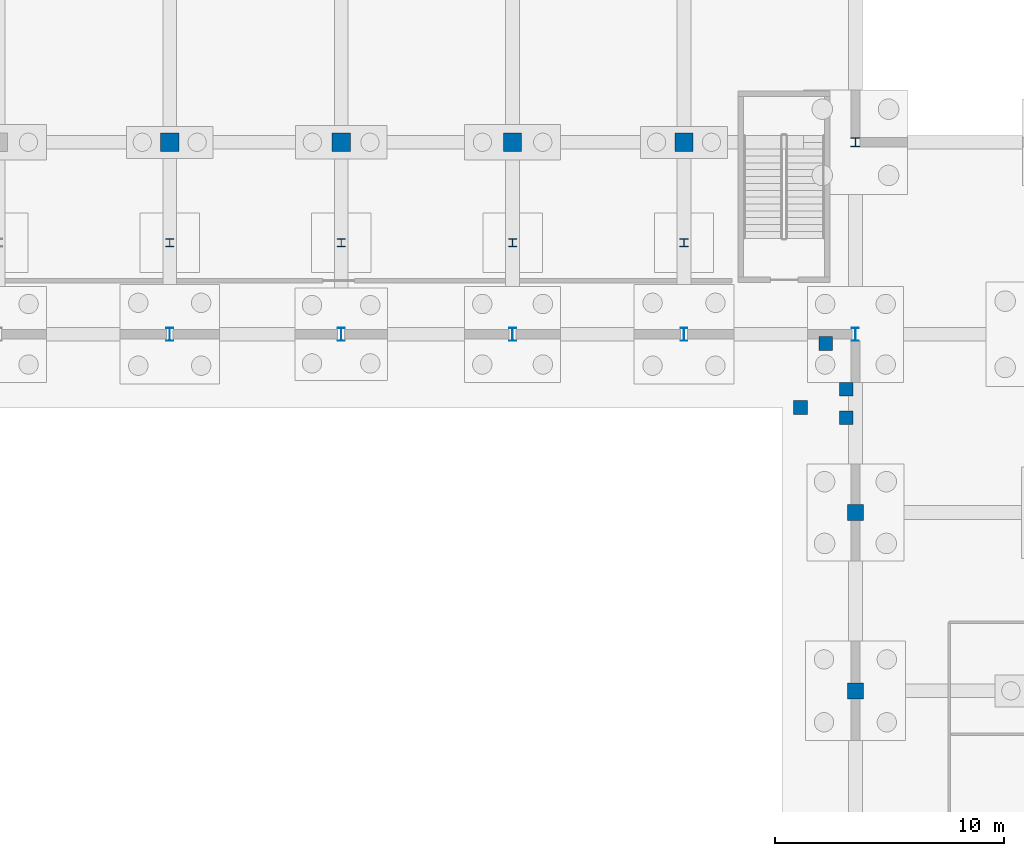
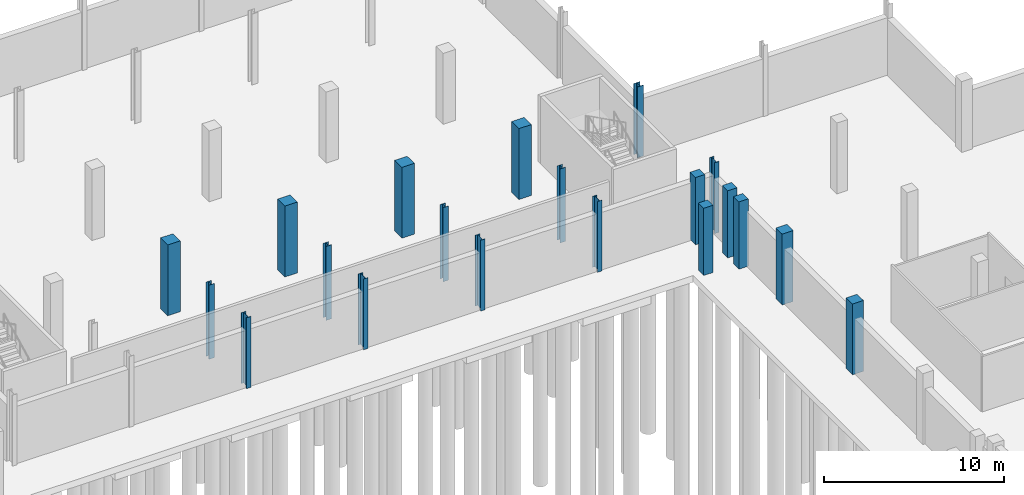
# One storey, part 23 of 44: 20 columns.
"""IFC4 building model written with IfcOpenShell, lengths in metres."""

from ifc_helpers import new_model, si_unit, direction, frame, origin, origin_2d, place, context, subcontext, project, spatial, rectangle, i_section, extrude, material, material_profile, profile_set, type_object, element, save


model = new_model("IFC4")

# Units and contexts
model_context = context("Model", 3, precision=1e-05, world=origin(), true_north=direction((0.0, 1.0)))
body_context = subcontext(model_context, "Body", "Model", "MODEL_VIEW")
ifc_project = project(units=[si_unit("LENGTHUNIT", "METRE"), si_unit("AREAUNIT", "SQUARE_METRE"), si_unit("VOLUMEUNIT", "CUBIC_METRE"), si_unit("PLANEANGLEUNIT", "RADIAN"), si_unit("MASSUNIT", "GRAM", prefix="KILO")], contexts=[model_context])

# Site, building, storey
site_placement = place(None, origin())
site = spatial("IfcSite", under=ifc_project, at=site_placement, CompositionType="ELEMENT")
building_placement = place(site_placement, origin())
building = spatial("IfcBuilding", under=site, at=building_placement, Name="Yukiwa Park Conservatory and Herbarium", CompositionType="ELEMENT")
storey_placement = place(building_placement, frame((0.0, 0.0, -4.800048828125)))
storey = spatial("IfcBuildingStorey", under=building, at=storey_placement, Name="B1", CompositionType="ELEMENT", Elevation=-4.800048828125)

# Columns
ifc_material_1 = material(Name="Steel Q355D", Category="steel")
ifc_material_profile_1 = material_profile(ifc_material_1, i_section(OverallWidth=0.300048828125, OverallDepth=0.58203125, WebThickness=0.011962890625, FlangeThickness=0.01708984375, FilletRadius=0.02392578125, at=origin_2d()), Name="HM 582x300x12x17")
ifc_profile_set_1 = profile_set([ifc_material_profile_1], Name="Steel Q355D")
column_type_1 = type_object("IfcColumnType", Name="COL-AU-HM582", PredefinedType="COLUMN", material=ifc_profile_set_1)
for number, where, z_axis, x_axis, name in (
    (1, (30.0, 78.0, 0.0), (0.0, 0.0, 1.0), (1.0, 0.0, 0.0), "B1 column V4-X300-Y780"),
    (2, (37.5, 78.0, 0.0), (0.0, 0.0, 1.0), (1.0, 0.0, 0.0), "B1 column V4-X375-Y780"),
    (3, (45.0, 78.0, 0.0), (0.0, 0.0, 1.0), (1.0, 0.0, 0.0), "B1 column V4-X450-Y780"),
    (4, (52.5, 78.0, 0.0), (0.0, 0.0, 1.0), (1.0, 0.0, 0.0), "B1 column V4-X525-Y780"),
    (5, (60.0, 78.0, 0.0), (0.0, 0.0, 1.0), (1.0, 0.0, 0.0), "B1 column V4-X600-Y780"),
):
    element("IfcColumn", number, at=place(storey_placement, frame(where, z_axis=z_axis, x_axis=x_axis)), inside=storey, type_object=column_type_1, Name=name, PredefinedType="COLUMN", context=body_context, shape_type="SweptSolid", body=[
        extrude(i_section(OverallWidth=0.300048828125, OverallDepth=0.58203125, WebThickness=0.011962890625, FlangeThickness=0.01708984375, FilletRadius=0.02392578125, at=origin_2d()), origin(), (0.0, 0.0, 1.0), 4.800048828125),
    ])
ifc_material_2 = material(Name="Concrete C40", Category="concrete")
ifc_material_profile_2 = material_profile(ifc_material_2, rectangle(XDim=0.60009765625, YDim=0.60009765625, at=origin_2d()), Name="RC 600x600")
ifc_profile_set_2 = profile_set([ifc_material_profile_2], Name="Concrete C40")
column_type_2 = type_object("IfcColumnType", Name="COL-B1-RC600", PredefinedType="COLUMN", material=ifc_profile_set_2)
for number, where, z_axis, x_axis, name in (
    (6, (59.60009765625, 75.60009765625, 0.0), (0.0, 0.0, 1.0), (1.0, 0.0, 0.0), "Exterior frost apron pier 26"),
    (7, (58.696044921875, 77.60009765625, 0.0), (0.0, 0.0, 1.0), (1.0, 0.0, 0.0), "Exterior frost apron pier 27"),
    (8, (59.60009765625, 74.347900390625, 0.0), (0.0, 0.0, 1.0), (1.0, 0.0, 0.0), "Exterior frost apron pier 31"),
    (9, (57.60009765625, 74.800048828125, 0.0), (0.0, 0.0, 1.0), (1.0, 0.0, 0.0), "Exterior frost apron pier 32"),
):
    element("IfcColumn", number, at=place(storey_placement, frame(where, z_axis=z_axis, x_axis=x_axis)), inside=storey, type_object=column_type_2, Name=name, PredefinedType="COLUMN", context=body_context, shape_type="SweptSolid", body=[
        extrude(rectangle(XDim=0.60009765625, YDim=0.60009765625, at=origin_2d()), origin(), (0.0, 0.0, 1.0), 4.56005859375),
    ])
ifc_material_3 = material(Name="Concrete C50", Category="concrete")
ifc_material_profile_3 = material_profile(ifc_material_3, rectangle(XDim=0.699951171875, YDim=0.699951171875, at=origin_2d()), Name="RC 700x700")
ifc_profile_set_3 = profile_set([ifc_material_profile_3], Name="Concrete C50")
column_type_3 = type_object("IfcColumnType", Name="COL-B1-RC700", PredefinedType="COLUMN", material=ifc_profile_set_3)
for number, where, z_axis, x_axis, name in (
    (10, (60.0, 62.39990234375, 0.0), (0.0, 0.0, 1.0), (1.0, 0.0, 0.0), "B1 column V3-X600-Y624"),
    (11, (60.0, 70.199951171875, 0.0), (0.0, 0.0, 1.0), (1.0, 0.0, 0.0), "B1 column V3-X600-Y702"),
):
    element("IfcColumn", number, at=place(storey_placement, frame(where, z_axis=z_axis, x_axis=x_axis)), inside=storey, type_object=column_type_3, Name=name, PredefinedType="COLUMN", context=body_context, shape_type="SweptSolid", body=[
        extrude(rectangle(XDim=0.699951171875, YDim=0.699951171875, at=origin_2d()), origin(), (0.0, 0.0, 1.0), 4.800048828125),
    ])
ifc_material_4 = material(Name="Concrete C50", Category="concrete")
ifc_material_profile_4 = material_profile(ifc_material_4, rectangle(XDim=0.800048828125, YDim=0.800048828125, at=origin_2d()), Name="RC 800x800")
ifc_profile_set_4 = profile_set([ifc_material_profile_4], Name="Concrete C50")
column_type_4 = type_object("IfcColumnType", Name="COL-B1-RC800", PredefinedType="COLUMN", material=ifc_profile_set_4)
for number, where, z_axis, x_axis, name in (
    (12, (30.0, 86.39990234375, 0.0), (0.0, 0.0, 1.0), (1.0, 0.0, 0.0), "B1 column V4B-X300-Y864"),
    (13, (37.5, 86.39990234375, 0.0), (0.0, 0.0, 1.0), (1.0, 0.0, 0.0), "B1 column V4B-X375-Y864"),
    (14, (45.0, 86.39990234375, 0.0), (0.0, 0.0, 1.0), (1.0, 0.0, 0.0), "B1 column V4B-X450-Y864"),
    (15, (52.5, 86.39990234375, 0.0), (0.0, 0.0, 1.0), (1.0, 0.0, 0.0), "B1 column V4B-X525-Y864"),
):
    element("IfcColumn", number, at=place(storey_placement, frame(where, z_axis=z_axis, x_axis=x_axis)), inside=storey, type_object=column_type_4, Name=name, PredefinedType="COLUMN", context=body_context, shape_type="SweptSolid", body=[
        extrude(rectangle(XDim=0.800048828125, YDim=0.800048828125, at=origin_2d()), origin(), (0.0, 0.0, 1.0), 4.800048828125),
    ])
ifc_material_5 = material(Name="Steel Q355D", Category="steel")
ifc_material_profile_5 = material_profile(ifc_material_5, i_section(OverallWidth=0.35009765625, OverallDepth=0.35009765625, WebThickness=0.011962890625, FlangeThickness=0.01904296875, FilletRadius=0.02001953125, at=origin_2d()), Name="HW 350x350x12x19")
ifc_profile_set_5 = profile_set([ifc_material_profile_5], Name="Steel Q355D")
column_type_5 = type_object("IfcColumnType", Name="COL-TW-HW350", PredefinedType="COLUMN", material=ifc_profile_set_5)
for number, where, z_axis, x_axis, name in (
    (16, (30.0, 82.0, -0.5), (0.0, 0.0, 1.0), (1.0, 0.0, 0.0), "Basement auditorium gallery support column 2"),
    (17, (37.5, 82.0, -0.5), (0.0, 0.0, 1.0), (1.0, 0.0, 0.0), "Basement auditorium gallery support column 3"),
    (18, (45.0, 82.0, -0.5), (0.0, 0.0, 1.0), (1.0, 0.0, 0.0), "Basement auditorium gallery support column 4"),
    (19, (52.5, 82.0, -0.5), (0.0, 0.0, 1.0), (1.0, 0.0, 0.0), "Basement auditorium gallery support column 5"),
):
    element("IfcColumn", number, at=place(storey_placement, frame(where, z_axis=z_axis, x_axis=x_axis)), inside=storey, type_object=column_type_5, Name=name, PredefinedType="COLUMN", context=body_context, shape_type="SweptSolid", body=[
        extrude(i_section(OverallWidth=0.35009765625, OverallDepth=0.35009765625, WebThickness=0.011962890625, FlangeThickness=0.01904296875, FilletRadius=0.02001953125, at=origin_2d()), origin(), (0.0, 0.0, 1.0), 5.02001953125),
    ])
ifc_material_6 = material(Name="Steel Q355D", Category="steel")
ifc_material_profile_6 = material_profile(ifc_material_6, i_section(OverallWidth=0.39990234375, OverallDepth=0.39990234375, WebThickness=0.012939453125, FlangeThickness=0.02099609375, FilletRadius=0.02197265625, at=origin_2d()), Name="HW 400x400x13x21")
ifc_profile_set_6 = profile_set([ifc_material_profile_6], Name="Steel Q355D")
column_type_6 = type_object("IfcColumnType", Name="COL-TW-HW400", PredefinedType="COLUMN", material=ifc_profile_set_6)
column_placement = place(storey_placement, frame((60.0, 86.39990234375, 0.0), z_axis=(0.0, 0.0, 1.0), x_axis=(1.0, 0.0, 0.0)))
element("IfcColumn", 20, at=column_placement, inside=storey, type_object=column_type_6, Name="B1 column V4-X600-Y864", PredefinedType="COLUMN", context=body_context, shape_type="SweptSolid", body=[
    extrude(i_section(OverallWidth=0.39990234375, OverallDepth=0.39990234375, WebThickness=0.012939453125, FlangeThickness=0.02099609375, FilletRadius=0.02197265625, at=origin_2d()), origin(), (0.0, 0.0, 1.0), 4.800048828125),
])

save(model, "model.ifc")
